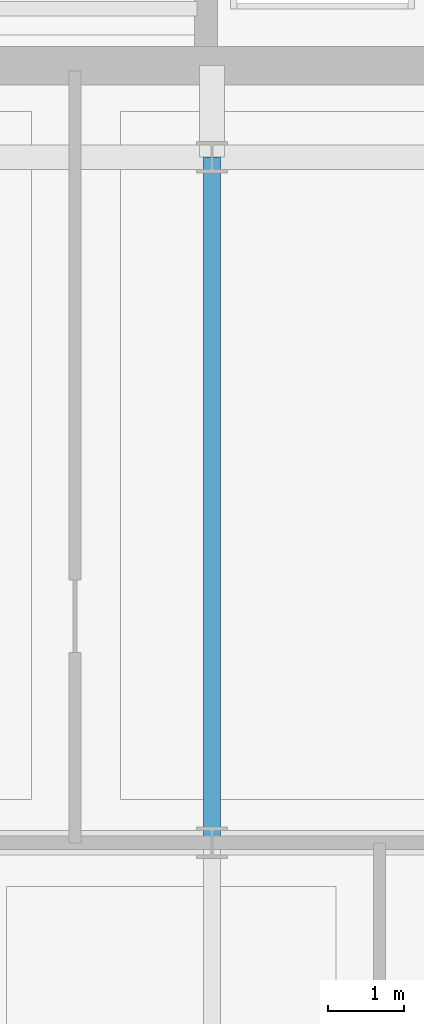
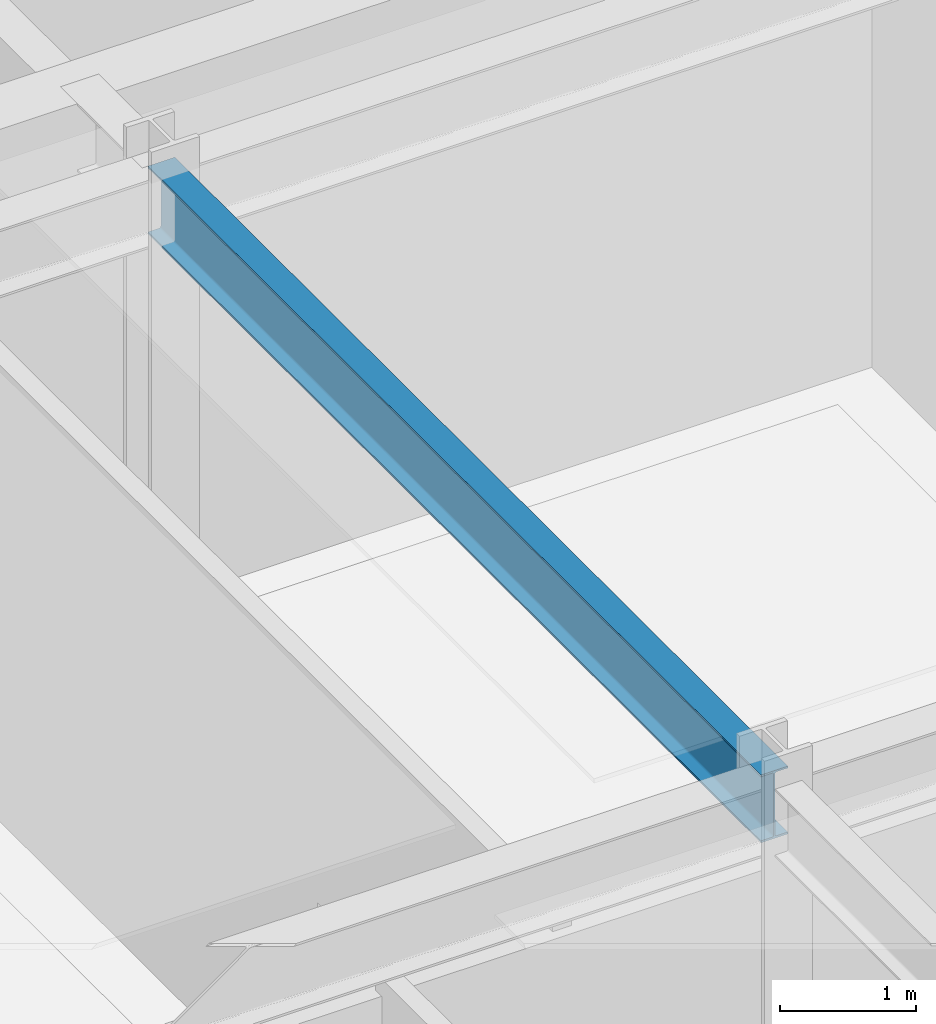
# One storey, part 6 of 29: 1 beam.
"""IFC4 building model written with IfcOpenShell, lengths in metres."""

from ifc_helpers import new_model, si_unit, direction, frame, origin, origin_2d, place, context, subcontext, project, spatial, i_section, extrude, material, material_profile, profile_set, type_object, element, save


model = new_model("IFC4")

# Units and contexts
model_context = context("Model", 3, precision=1e-05, world=origin(), true_north=direction((0.0, 1.0)))
body_context = subcontext(model_context, "Body", "Model", "MODEL_VIEW")
ifc_project = project(units=[si_unit("LENGTHUNIT", "METRE"), si_unit("AREAUNIT", "SQUARE_METRE"), si_unit("VOLUMEUNIT", "CUBIC_METRE"), si_unit("PLANEANGLEUNIT", "RADIAN"), si_unit("MASSUNIT", "GRAM", prefix="KILO")], contexts=[model_context])

# Site, building, storey
site_placement = place(None, origin())
site = spatial("IfcSite", under=ifc_project, at=site_placement, CompositionType="ELEMENT")
building_placement = place(site_placement, origin())
building = spatial("IfcBuilding", under=site, at=building_placement, Name="Solvaryn Broadcast Tower", CompositionType="ELEMENT")
storey_placement = place(building_placement, frame((0.0, 0.0, 169.199951171875)))
storey = spatial("IfcBuildingStorey", under=building, at=storey_placement, Name="L42", CompositionType="ELEMENT", Elevation=169.199951171875)

# Beam
ifc_material = material(Name="Steel ASTM A992 Grade 50", Category="steel")
ifc_material_profile = material_profile(ifc_material, i_section(OverallWidth=0.22802734375, OverallDepth=0.60791015625, WebThickness=0.01123046875, FlangeThickness=0.017333984375, FilletRadius=0.014892578125, at=origin_2d()))
ifc_profile_set = profile_set([ifc_material_profile], Name="Steel ASTM A992 Grade 50")
beam_type = type_object("IfcBeamType", Name="BM-B2-W24X76", PredefinedType="BEAM", material=ifc_profile_set)
beam_placement = place(storey_placement, frame((18.0, 18.0, 4.416015625), z_axis=(0.0, 1.0, 0.0), x_axis=(-1.0, 0.0, 0.0)))
element("IfcBeam", 1, at=beam_placement, inside=storey, type_object=beam_type, Name="L42 Primary Beam Y (18-27 @ X=18)", PredefinedType="BEAM", context=body_context, shape_type="SweptSolid", body=[
    extrude(i_section(OverallWidth=0.22802734375, OverallDepth=0.60791015625, WebThickness=0.01123046875, FlangeThickness=0.017333984375, FilletRadius=0.014892578125, at=origin_2d()), origin(), (0.0, 0.0, 1.0), 9.0),
])

save(model, "model.ifc")
